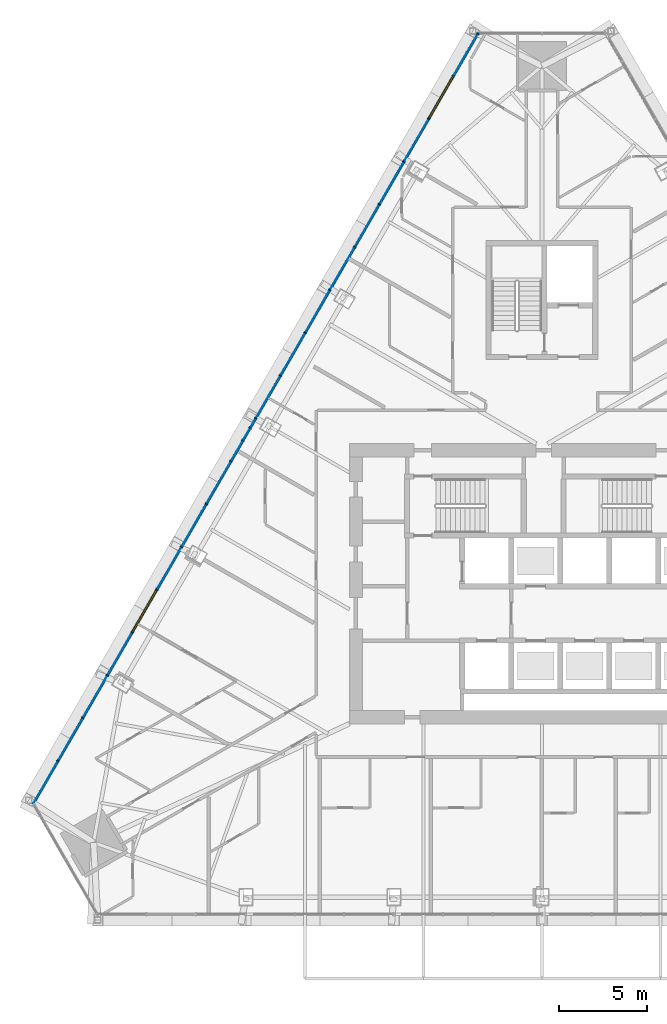
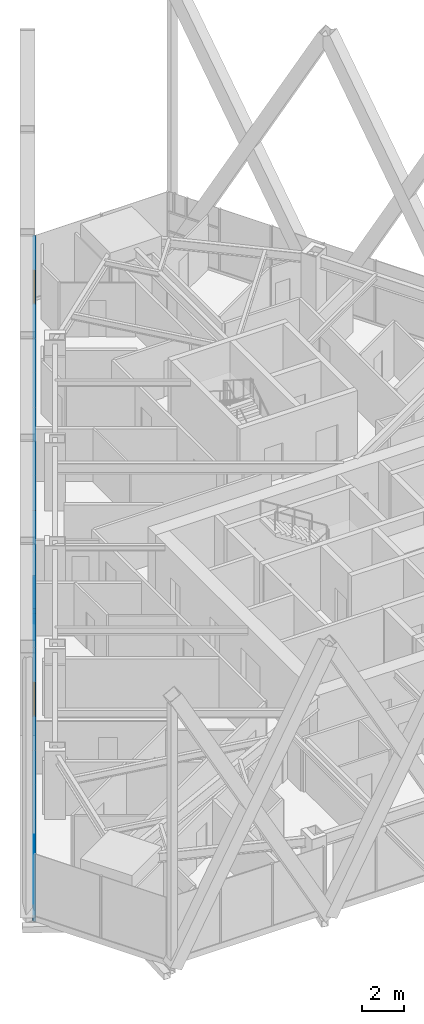
# One storey, part 5 of 19: 22 members, 19 plates, 2 windows, 2 openings, 1 element without a shape of its own.
"""IFC4 building model written with IfcOpenShell, lengths in metres."""

from ifc_helpers import new_model, si_unit, direction, frame, frame_2d, origin, origin_2d, place, context, subcontext, project, spatial, polyline, rectangle, outline, extrude, material, layer, layer_set, material_profile, profile_set, type_object, element, fill, aggregate, save


model = new_model("IFC4")

# Units and contexts
model_context = context("Model", 3, precision=1e-05, world=origin(), true_north=direction((0.0, 1.0)))
body_context = subcontext(model_context, "Body", "Model", "MODEL_VIEW")
ifc_project = project(units=[si_unit("LENGTHUNIT", "METRE"), si_unit("AREAUNIT", "SQUARE_METRE"), si_unit("VOLUMEUNIT", "CUBIC_METRE"), si_unit("PLANEANGLEUNIT", "RADIAN"), si_unit("MASSUNIT", "GRAM", prefix="KILO")], contexts=[model_context])

# Site, building, storey
site_placement = place(None, origin())
site = spatial("IfcSite", under=ifc_project, at=site_placement, CompositionType="ELEMENT")
building_placement = place(site_placement, origin())
building = spatial("IfcBuilding", under=site, at=building_placement, Name="Firuza Gate Tower and Library", CompositionType="ELEMENT")
storey_placement = place(building_placement, frame((0.0, 0.0, 218.199951171875)))
storey = spatial("IfcBuildingStorey", under=building, at=storey_placement, Name="L51", CompositionType="ELEMENT", Elevation=218.199951171875)

# Curtain wall, openings, members, plates, windows
ifc_material_1 = material(Name="Aluminium 6063-T6", Category="aluminium")
ifc_layer_1 = layer(ifc_material_1, 0.14990234375)
ifc_layer_set_1 = layer_set([ifc_layer_1], Name="Unitised curtain wall, hotel")
curtain_wall_type = type_object("IfcCurtainWallType", Name="Unitised curtain wall, hotel", PredefinedType="NOTDEFINED", material=ifc_layer_set_1)
curtain_wall_placement = place(storey_placement, origin())
curtain_wall = element("IfcCurtainWall", 1, at=curtain_wall_placement, inside=storey, type_object=curtain_wall_type, Name="CW2 L51 W face", PredefinedType="NOTDEFINED")
opening_1_placement = place(curtain_wall_placement, frame((69.925048828125, 103.965087890625, 0.150146484375), z_axis=(0.0, 0.0, 1.0), x_axis=(-0.5, -0.866025, 0.0)))
opening_1 = element("IfcOpeningElement", 2, at=opening_1_placement, cuts=curtain_wall, Name="Opening WD1-004", PredefinedType="OPENING", context=body_context, shape_type="SweptSolid", body=[
    extrude(rectangle(XDim=2.743408203125, YDim=3.550048828125, at=frame_2d((1.37158203125, 1.77490234375))), frame((0.0, 0.0849609375, 0.0), z_axis=(0.0, -1.0, 0.0), x_axis=(1.0, 0.0, 0.0)), (0.0, 0.0, 1.0), 0.169921875),
])
opening_2_placement = place(curtain_wall_placement, frame((52.98486328125, 74.623779296875, 0.150146484375), z_axis=(0.0, 0.0, 1.0), x_axis=(-0.5, -0.866025, 0.0)))
opening_2 = element("IfcOpeningElement", 3, at=opening_2_placement, cuts=curtain_wall, Name="Opening WD1-005", PredefinedType="OPENING", context=body_context, shape_type="SweptSolid", body=[
    extrude(rectangle(XDim=2.743408203125, YDim=3.550048828125, at=frame_2d((1.37158203125, 1.77490234375))), frame((0.0, 0.0849609375, 0.0), z_axis=(0.0, -1.0, 0.0), x_axis=(1.0, 0.0, 0.0)), (0.0, 0.0, 1.0), 0.169921875),
])
ifc_material_2 = material(Name="Aluminium 6063-T6", Category="aluminium")
ifc_material_profile_1 = material_profile(ifc_material_2, rectangle(XDim=0.14990234375, YDim=0.080078125, at=origin_2d()))
ifc_profile_set_1 = profile_set([ifc_material_profile_1], Name="Aluminium 6063-T6")
member_type_1 = type_object("IfcMemberType", Name="Curtain wall mullion 80x150", PredefinedType="MULLION", material=ifc_profile_set_1)
member_1_placement = place(storey_placement, frame((71.336669921875, 106.41015625, 0.150146484375), z_axis=(0.0, 0.0, 1.0), x_axis=(0.866025403784, -0.5, 0.0)))
member_1 = element("IfcMember", 4, at=member_1_placement, type_object=member_type_1, Name="Mullion", PredefinedType="MULLION", context=body_context, shape_type="SweptSolid", body=[
    extrude(rectangle(XDim=0.14990234375, YDim=0.080078125, at=origin_2d()), origin(), (0.0, 0.0, 1.0), 3.5498046875),
])
member_2_placement = place(storey_placement, frame((69.945068359375, 103.999755859375, 0.150146484375), z_axis=(0.0, 0.0, 1.0), x_axis=(0.866025403784, -0.5, 0.0)))
member_2 = element("IfcMember", 5, at=member_2_placement, type_object=member_type_1, Name="Mullion", PredefinedType="MULLION", context=body_context, shape_type="SweptSolid", body=[
    extrude(rectangle(XDim=0.14990234375, YDim=0.080078125, at=origin_2d()), origin(), (0.0, 0.0, 1.0), 3.5498046875),
])
member_3_placement = place(storey_placement, frame((68.533447265625, 101.554443359375, 0.150146484375), z_axis=(0.0, 0.0, 1.0), x_axis=(0.866025403784, -0.5, 0.0)))
member_3 = element("IfcMember", 6, at=member_3_placement, type_object=member_type_1, Name="Mullion", PredefinedType="MULLION", context=body_context, shape_type="SweptSolid", body=[
    extrude(rectangle(XDim=0.14990234375, YDim=0.080078125, at=origin_2d()), origin(), (0.0, 0.0, 1.0), 3.5498046875),
])
member_4_placement = place(storey_placement, frame((67.12158203125, 99.109375, 0.150146484375), z_axis=(0.0, 0.0, 1.0), x_axis=(0.866025403784, -0.5, 0.0)))
member_4 = element("IfcMember", 7, at=member_4_placement, type_object=member_type_1, Name="Mullion", PredefinedType="MULLION", context=body_context, shape_type="SweptSolid", body=[
    extrude(rectangle(XDim=0.14990234375, YDim=0.080078125, at=origin_2d()), origin(), (0.0, 0.0, 1.0), 3.5498046875),
])
member_5_placement = place(storey_placement, frame((65.7099609375, 96.664306640625, 0.150146484375), z_axis=(0.0, 0.0, 1.0), x_axis=(0.866025403784, -0.5, 0.0)))
member_5 = element("IfcMember", 8, at=member_5_placement, type_object=member_type_1, Name="Mullion", PredefinedType="MULLION", context=body_context, shape_type="SweptSolid", body=[
    extrude(rectangle(XDim=0.14990234375, YDim=0.080078125, at=origin_2d()), origin(), (0.0, 0.0, 1.0), 3.5498046875),
])
member_6_placement = place(storey_placement, frame((64.29833984375, 94.21923828125, 0.150146484375), z_axis=(0.0, 0.0, 1.0), x_axis=(0.866025403784, -0.5, 0.0)))
member_6 = element("IfcMember", 9, at=member_6_placement, type_object=member_type_1, Name="Mullion", PredefinedType="MULLION", context=body_context, shape_type="SweptSolid", body=[
    extrude(rectangle(XDim=0.14990234375, YDim=0.080078125, at=origin_2d()), origin(), (0.0, 0.0, 1.0), 3.5498046875),
])
member_7_placement = place(storey_placement, frame((62.88671875, 91.774169921875, 0.150146484375), z_axis=(0.0, 0.0, 1.0), x_axis=(0.866025403784, -0.5, 0.0)))
member_7 = element("IfcMember", 10, at=member_7_placement, type_object=member_type_1, Name="Mullion", PredefinedType="MULLION", context=body_context, shape_type="SweptSolid", body=[
    extrude(rectangle(XDim=0.14990234375, YDim=0.080078125, at=origin_2d()), origin(), (0.0, 0.0, 1.0), 3.5498046875),
])
member_8_placement = place(storey_placement, frame((61.474853515625, 89.3291015625, 0.150146484375), z_axis=(0.0, 0.0, 1.0), x_axis=(0.866025403784, -0.5, 0.0)))
member_8 = element("IfcMember", 11, at=member_8_placement, type_object=member_type_1, Name="Mullion", PredefinedType="MULLION", context=body_context, shape_type="SweptSolid", body=[
    extrude(rectangle(XDim=0.14990234375, YDim=0.080078125, at=origin_2d()), origin(), (0.0, 0.0, 1.0), 3.5498046875),
])
member_9_placement = place(storey_placement, frame((60.063232421875, 86.8837890625, 0.150146484375), z_axis=(0.0, 0.0, 1.0), x_axis=(0.866025403784, -0.5, 0.0)))
member_9 = element("IfcMember", 12, at=member_9_placement, type_object=member_type_1, Name="Mullion", PredefinedType="MULLION", context=body_context, shape_type="SweptSolid", body=[
    extrude(rectangle(XDim=0.14990234375, YDim=0.080078125, at=origin_2d()), origin(), (0.0, 0.0, 1.0), 3.5498046875),
])
member_10_placement = place(storey_placement, frame((58.651611328125, 84.438720703125, 0.150146484375), z_axis=(0.0, 0.0, 1.0), x_axis=(0.866025403784, -0.5, 0.0)))
member_10 = element("IfcMember", 13, at=member_10_placement, type_object=member_type_1, Name="Mullion", PredefinedType="MULLION", context=body_context, shape_type="SweptSolid", body=[
    extrude(rectangle(XDim=0.14990234375, YDim=0.080078125, at=origin_2d()), origin(), (0.0, 0.0, 1.0), 3.5498046875),
])
member_11_placement = place(storey_placement, frame((57.23974609375, 81.99365234375, 0.150146484375), z_axis=(0.0, 0.0, 1.0), x_axis=(0.866025403784, -0.5, 0.0)))
member_11 = element("IfcMember", 14, at=member_11_placement, type_object=member_type_1, Name="Mullion", PredefinedType="MULLION", context=body_context, shape_type="SweptSolid", body=[
    extrude(rectangle(XDim=0.14990234375, YDim=0.080078125, at=origin_2d()), origin(), (0.0, 0.0, 1.0), 3.5498046875),
])
member_12_placement = place(storey_placement, frame((55.828125, 79.548583984375, 0.150146484375), z_axis=(0.0, 0.0, 1.0), x_axis=(0.866025403784, -0.5, 0.0)))
member_12 = element("IfcMember", 15, at=member_12_placement, type_object=member_type_1, Name="Mullion", PredefinedType="MULLION", context=body_context, shape_type="SweptSolid", body=[
    extrude(rectangle(XDim=0.14990234375, YDim=0.080078125, at=origin_2d()), origin(), (0.0, 0.0, 1.0), 3.5498046875),
])
member_13_placement = place(storey_placement, frame((54.41650390625, 77.103515625, 0.150146484375), z_axis=(0.0, 0.0, 1.0), x_axis=(0.866025403784, -0.5, 0.0)))
member_13 = element("IfcMember", 16, at=member_13_placement, type_object=member_type_1, Name="Mullion", PredefinedType="MULLION", context=body_context, shape_type="SweptSolid", body=[
    extrude(rectangle(XDim=0.14990234375, YDim=0.080078125, at=origin_2d()), origin(), (0.0, 0.0, 1.0), 3.5498046875),
])
member_14_placement = place(storey_placement, frame((53.0048828125, 74.658447265625, 0.150146484375), z_axis=(0.0, 0.0, 1.0), x_axis=(0.866025403784, -0.5, 0.0)))
member_14 = element("IfcMember", 17, at=member_14_placement, type_object=member_type_1, Name="Mullion", PredefinedType="MULLION", context=body_context, shape_type="SweptSolid", body=[
    extrude(rectangle(XDim=0.14990234375, YDim=0.080078125, at=origin_2d()), origin(), (0.0, 0.0, 1.0), 3.5498046875),
])
member_15_placement = place(storey_placement, frame((51.593017578125, 72.213134765625, 0.150146484375), z_axis=(0.0, 0.0, 1.0), x_axis=(0.866025403784, -0.5, 0.0)))
member_15 = element("IfcMember", 18, at=member_15_placement, type_object=member_type_1, Name="Mullion", PredefinedType="MULLION", context=body_context, shape_type="SweptSolid", body=[
    extrude(rectangle(XDim=0.14990234375, YDim=0.080078125, at=origin_2d()), origin(), (0.0, 0.0, 1.0), 3.5498046875),
])
member_16_placement = place(storey_placement, frame((50.181396484375, 69.76806640625, 0.150146484375), z_axis=(0.0, 0.0, 1.0), x_axis=(0.866025403784, -0.5, 0.0)))
member_16 = element("IfcMember", 19, at=member_16_placement, type_object=member_type_1, Name="Mullion", PredefinedType="MULLION", context=body_context, shape_type="SweptSolid", body=[
    extrude(rectangle(XDim=0.14990234375, YDim=0.080078125, at=origin_2d()), origin(), (0.0, 0.0, 1.0), 3.5498046875),
])
member_17_placement = place(storey_placement, frame((48.769775390625, 67.322998046875, 0.150146484375), z_axis=(0.0, 0.0, 1.0), x_axis=(0.866025403784, -0.5, 0.0)))
member_17 = element("IfcMember", 20, at=member_17_placement, type_object=member_type_1, Name="Mullion", PredefinedType="MULLION", context=body_context, shape_type="SweptSolid", body=[
    extrude(rectangle(XDim=0.14990234375, YDim=0.080078125, at=origin_2d()), origin(), (0.0, 0.0, 1.0), 3.5498046875),
])
member_18_placement = place(storey_placement, frame((47.358154296875, 64.8779296875, 0.150146484375), z_axis=(0.0, 0.0, 1.0), x_axis=(0.866025403784, -0.5, 0.0)))
member_18 = element("IfcMember", 21, at=member_18_placement, type_object=member_type_1, Name="Mullion", PredefinedType="MULLION", context=body_context, shape_type="SweptSolid", body=[
    extrude(rectangle(XDim=0.14990234375, YDim=0.080078125, at=origin_2d()), origin(), (0.0, 0.0, 1.0), 3.5498046875),
])
member_19_placement = place(storey_placement, frame((57.919189453125, 83.170166015625, 0.150146484375), z_axis=(0.0, 0.0, 1.0), x_axis=(0.866025403784, -0.5, 0.0)))
member_19 = element("IfcMember", 22, at=member_19_placement, type_object=member_type_1, Name="Mullion", PredefinedType="MULLION", context=body_context, shape_type="SweptSolid", body=[
    extrude(rectangle(XDim=0.14990234375, YDim=0.080078125, at=origin_2d()), origin(), (0.0, 0.0, 1.0), 1.73486328125),
])
member_20_placement = place(storey_placement, frame((58.340576171875, 83.900146484375, 1.965087890625), z_axis=(0.0, 0.0, 1.0), x_axis=(0.866025403784, -0.5, 0.0)))
member_20 = element("IfcMember", 23, at=member_20_placement, type_object=member_type_1, Name="Mullion", PredefinedType="MULLION", context=body_context, shape_type="SweptSolid", body=[
    extrude(rectangle(XDim=0.14990234375, YDim=0.080078125, at=origin_2d()), origin(), (0.0, 0.0, 1.0), 1.73486328125),
])
ifc_material_3 = material(Name="Aluminium 6063-T6", Category="aluminium")
ifc_material_profile_2 = material_profile(ifc_material_3, rectangle(XDim=0.14990234375, YDim=0.35009765625, at=origin_2d()))
ifc_profile_set_2 = profile_set([ifc_material_profile_2], Name="Aluminium 6063-T6")
member_type_2 = type_object("IfcMemberType", Name="Curtain wall transom 350x150", PredefinedType="USERDEFINED", material=ifc_profile_set_2)
member_21_placement = place(storey_placement, frame((71.356689453125, 106.44482421875, -0.02490234375), z_axis=(-0.500001206715, -0.866024707086, 0.0), x_axis=(0.866024707086, -0.500001206715, 0.0)))
member_21 = element("IfcMember", 24, at=member_21_placement, type_object=member_type_2, Name="Transom", ObjectType="TRANSOM", PredefinedType="USERDEFINED", context=body_context, shape_type="SweptSolid", body=[
    extrude(rectangle(XDim=0.14990234375, YDim=0.35009765625, at=origin_2d()), origin(), (0.0, 0.0, 1.0), 50.820556640625),
])
ifc_material_4 = material(Name="Aluminium 6063-T6", Category="aluminium")
ifc_material_profile_3 = material_profile(ifc_material_4, rectangle(XDim=0.14990234375, YDim=0.080078125, at=origin_2d()))
ifc_profile_set_3 = profile_set([ifc_material_profile_3], Name="Aluminium 6063-T6")
member_type_3 = type_object("IfcMemberType", Name="Curtain wall transom 80x150", PredefinedType="USERDEFINED", material=ifc_profile_set_3)
member_22_placement = place(storey_placement, frame((58.631591796875, 84.404052734375, 1.925048828125), z_axis=(-0.500053697445, -0.86599439933, 0.0), x_axis=(0.86599439933, -0.500053697445, 0.0)))
member_22 = element("IfcMember", 25, at=member_22_placement, type_object=member_type_3, Name="Transom", ObjectType="TRANSOM", PredefinedType="USERDEFINED", context=body_context, shape_type="SweptSolid", body=[
    extrude(rectangle(XDim=0.14990234375, YDim=0.080078125, at=origin_2d()), origin(), (0.0, 0.0, 1.0), 2.743408203125),
])
ifc_material_5 = material(Name="Fritted glass", Category="glass")
ifc_layer_2 = layer(ifc_material_5, 0.030029296875)
ifc_layer_set_2 = layer_set([ifc_layer_2], Name="Fritted glass unit, hotel")
plate_type_1 = type_object("IfcPlateType", Name="Fritted glass unit, hotel", PredefinedType="CURTAIN_PANEL", material=ifc_layer_set_2)
plate_1_placement = place(storey_placement, frame((65.677001953125, 96.63720703125, 0.150146484375), z_axis=(-0.866016649877, 0.500015161905, 0.0), x_axis=(-0.500015161905, -0.866016649877, 0.0)))
plate_1 = element("IfcPlate", 26, at=plate_1_placement, type_object=plate_type_1, Name="Glass unit", PredefinedType="CURTAIN_PANEL", context=body_context, shape_type="SweptSolid", body=[
    extrude(outline(polyline([(0.0, 0.0), (2.7435691482793962, 0.0), (2.7435691482793962, 3.5498046875), (0.0, 3.5498046875), (0.0, 0.0)])), origin(), (0.0, 0.0, -1.0), 0.030029296875),
])
plate_2_placement = place(storey_placement, frame((61.44189453125, 89.3017578125, 0.150146484375), z_axis=(-0.866032936488, 0.499986952748, 0.0), x_axis=(-0.499986952748, -0.866032936488, 0.0)))
plate_2 = element("IfcPlate", 27, at=plate_2_placement, type_object=plate_type_1, Name="Glass unit", PredefinedType="CURTAIN_PANEL", context=body_context, shape_type="SweptSolid", body=[
    extrude(outline(polyline([(0.0, 0.0), (2.7432356458743987, 0.0), (2.7432356458743987, 3.5498046875), (0.0, 3.5498046875), (0.0, 0.0)])), origin(), (0.0, 0.0, -1.0), 0.030029296875),
])
plate_3_placement = place(storey_placement, frame((57.88623046875, 83.14306640625, 0.150146484375), z_axis=(-0.865966151823, 0.500102613368, 0.0), x_axis=(-0.500102613368, -0.865966151823, 0.0)))
plate_3 = element("IfcPlate", 28, at=plate_3_placement, type_object=plate_type_1, Name="Glass unit", PredefinedType="CURTAIN_PANEL", context=body_context, shape_type="SweptSolid", body=[
    extrude(outline(polyline([(0.0, 0.0), (1.2785462018863345, 0.0), (1.2785462018863345, 1.73486328125), (0.0, 1.73486328125), (0.0, 0.0)])), origin(), (0.0, 0.0, -1.0), 0.030029296875),
])
plate_4_placement = place(storey_placement, frame((58.61865234375, 84.41162109375, 1.965087890625), z_axis=(-0.865960472381, 0.500112447629, 0.0), x_axis=(-0.500112447629, -0.865960472381, 0.0)))
plate_4 = element("IfcPlate", 29, at=plate_4_placement, type_object=plate_type_1, Name="Glass unit", PredefinedType="CURTAIN_PANEL", context=body_context, shape_type="SweptSolid", body=[
    extrude(outline(polyline([(0.0, 0.0), (0.5418703234337647, 0.0), (0.5418703234337647, 1.73486328125), (0.0, 1.73486328125), (0.0, 0.0)])), origin(), (0.0, 0.0, -1.0), 0.030029296875),
])
plate_5_placement = place(storey_placement, frame((57.206787109375, 81.966552734375, 0.150146484375), z_axis=(-0.866032936488, 0.499986952748, 0.0), x_axis=(-0.499986952748, -0.866032936488, 0.0)))
plate_5 = element("IfcPlate", 30, at=plate_5_placement, type_object=plate_type_1, Name="Glass unit", PredefinedType="CURTAIN_PANEL", context=body_context, shape_type="SweptSolid", body=[
    extrude(outline(polyline([(0.0, 0.0), (2.7432356458743987, 0.0), (2.7432356458743987, 3.5498046875), (0.0, 3.5498046875), (0.0, 0.0)])), origin(), (0.0, 0.0, -1.0), 0.030029296875),
])
plate_6_placement = place(storey_placement, frame((48.73681640625, 67.2958984375, 0.150146484375), z_axis=(-0.86599439933, 0.500053697445, 0.0), x_axis=(-0.500053697445, -0.86599439933, 0.0)))
plate_6 = element("IfcPlate", 31, at=plate_6_placement, type_object=plate_type_1, Name="Glass unit", PredefinedType="CURTAIN_PANEL", context=body_context, shape_type="SweptSolid", body=[
    extrude(outline(polyline([(0.0, 0.0), (2.7433577211492617, 0.0), (2.7433577211492617, 3.5498046875), (0.0, 3.5498046875), (0.0, 0.0)])), origin(), (0.0, 0.0, -1.0), 0.030029296875),
])
ifc_material_6 = material(Name="Glazed ceramic tile")
ifc_layer_3 = layer(ifc_material_6, 0.030029296875)
ifc_layer_set_3 = layer_set([ifc_layer_3], Name="Opaque ceramic panel, hotel")
plate_type_2 = type_object("IfcPlateType", Name="Opaque ceramic panel, hotel", PredefinedType="CURTAIN_PANEL", material=ifc_layer_set_3)
plate_7_placement = place(storey_placement, frame((71.32373046875, 106.41748046875, 0.150146484375), z_axis=(-0.86599439933, 0.500053697445, 0.0), x_axis=(-0.500053697445, -0.86599439933, 0.0)))
plate_7 = element("IfcPlate", 32, at=plate_7_placement, type_object=plate_type_2, Name="Opaque ceramic panel", PredefinedType="CURTAIN_PANEL", context=body_context, shape_type="SweptSolid", body=[
    extrude(outline(polyline([(0.0, 0.0), (2.7433577211492617, 0.0), (2.7433577211492617, 3.5498046875), (0.0, 3.5498046875), (0.0, 0.0)])), origin(), (0.0, 0.0, -1.0), 0.030029296875),
])
plate_8_placement = place(storey_placement, frame((68.500244140625, 101.52734375, 0.150146484375), z_axis=(-0.866032936488, 0.499986952748, 0.0), x_axis=(-0.499986952748, -0.866032936488, 0.0)))
plate_8 = element("IfcPlate", 33, at=plate_8_placement, type_object=plate_type_2, Name="Opaque ceramic panel", PredefinedType="CURTAIN_PANEL", context=body_context, shape_type="SweptSolid", body=[
    extrude(outline(polyline([(0.0, 0.0), (2.7432356458743987, 0.0), (2.7432356458743987, 3.5498046875), (0.0, 3.5498046875), (0.0, 0.0)])), origin(), (0.0, 0.0, -1.0), 0.030029296875),
])
plate_9_placement = place(storey_placement, frame((67.088623046875, 99.082275390625, 0.150146484375), z_axis=(-0.866032936488, 0.499986952748, 0.0), x_axis=(-0.499986952748, -0.866032936488, 0.0)))
plate_9 = element("IfcPlate", 34, at=plate_9_placement, type_object=plate_type_2, Name="Opaque ceramic panel", PredefinedType="CURTAIN_PANEL", context=body_context, shape_type="SweptSolid", body=[
    extrude(outline(polyline([(0.0, 0.0), (2.7432356458743987, 0.0), (2.7432356458743987, 3.5498046875), (0.0, 3.5498046875), (0.0, 0.0)])), origin(), (0.0, 0.0, -1.0), 0.030029296875),
])
plate_10_placement = place(storey_placement, frame((64.265380859375, 94.192138671875, 0.150146484375), z_axis=(-0.866016649877, 0.500015161905, 0.0), x_axis=(-0.500015161905, -0.866016649877, 0.0)))
plate_10 = element("IfcPlate", 35, at=plate_10_placement, type_object=plate_type_2, Name="Opaque ceramic panel", PredefinedType="CURTAIN_PANEL", context=body_context, shape_type="SweptSolid", body=[
    extrude(outline(polyline([(0.0, 0.0), (2.7435691482793962, 0.0), (2.7435691482793962, 3.5498046875), (0.0, 3.5498046875), (0.0, 0.0)])), origin(), (0.0, 0.0, -1.0), 0.030029296875),
])
plate_11_placement = place(storey_placement, frame((62.853515625, 91.7470703125, 0.150146484375), z_axis=(-0.866055182085, 0.499948418923, 0.0), x_axis=(-0.499948418923, -0.866055182085, 0.0)))
plate_11 = element("IfcPlate", 36, at=plate_11_placement, type_object=plate_type_2, Name="Opaque ceramic panel", PredefinedType="CURTAIN_PANEL", context=body_context, shape_type="SweptSolid", body=[
    extrude(outline(polyline([(0.0, 0.0), (2.7434470824124153, 0.0), (2.7434470824124153, 3.5498046875), (0.0, 3.5498046875), (0.0, 0.0)])), origin(), (0.0, 0.0, -1.0), 0.030029296875),
])
plate_12_placement = place(storey_placement, frame((60.0302734375, 86.856689453125, 0.150146484375), z_axis=(-0.86599439933, 0.500053697445, 0.0), x_axis=(-0.500053697445, -0.86599439933, 0.0)))
plate_12 = element("IfcPlate", 37, at=plate_12_placement, type_object=plate_type_2, Name="Opaque ceramic panel", PredefinedType="CURTAIN_PANEL", context=body_context, shape_type="SweptSolid", body=[
    extrude(outline(polyline([(0.0, 0.0), (2.7433577211492617, 0.0), (2.7433577211492617, 3.5498046875), (0.0, 3.5498046875), (0.0, 0.0)])), origin(), (0.0, 0.0, -1.0), 0.030029296875),
])
plate_13_placement = place(storey_placement, frame((58.61865234375, 84.41162109375, 0.150146484375), z_axis=(-0.865944821017, 0.500139547481, 0.0), x_axis=(-0.500139547481, -0.865944821017, 0.0)))
plate_13 = element("IfcPlate", 38, at=plate_13_placement, type_object=plate_type_2, Name="Opaque ceramic panel", PredefinedType="CURTAIN_PANEL", context=body_context, shape_type="SweptSolid", body=[
    extrude(outline(polyline([(0.0, 0.0), (1.3848673967376022, 0.0), (1.3848673967376022, 1.7348632812499996), (0.0, 1.7348632812499996), (0.0, 0.0)])), origin(), (0.0, 0.0, -1.0), 0.030029296875),
])
plate_14_placement = place(storey_placement, frame((58.3076171875, 83.873046875, 1.965087890625), z_axis=(-0.866003515251, 0.500037910135, 0.0), x_axis=(-0.500037910135, -0.866003515251, 0.0)))
plate_14 = element("IfcPlate", 39, at=plate_14_placement, type_object=plate_type_2, Name="Opaque ceramic panel", PredefinedType="CURTAIN_PANEL", context=body_context, shape_type="SweptSolid", body=[
    extrude(outline(polyline([(0.0, 0.0), (2.121421184522347, 0.0), (2.121421184522347, 1.73486328125), (0.0, 1.73486328125), (0.0, 0.0)])), origin(), (0.0, 0.0, -1.0), 0.030029296875),
])
plate_15_placement = place(storey_placement, frame((55.795166015625, 79.521484375, 0.150146484375), z_axis=(-0.866055182085, 0.499948418923, 0.0), x_axis=(-0.499948418923, -0.866055182085, 0.0)))
plate_15 = element("IfcPlate", 40, at=plate_15_placement, type_object=plate_type_2, Name="Opaque ceramic panel", PredefinedType="CURTAIN_PANEL", context=body_context, shape_type="SweptSolid", body=[
    extrude(outline(polyline([(0.0, 0.0), (2.7434470824124153, 0.0), (2.7434470824124153, 3.5498046875), (0.0, 3.5498046875), (0.0, 0.0)])), origin(), (0.0, 0.0, -1.0), 0.030029296875),
])
plate_16_placement = place(storey_placement, frame((54.383544921875, 77.076416015625, 0.150146484375), z_axis=(-0.866016649877, 0.500015161905, 0.0), x_axis=(-0.500015161905, -0.866016649877, 0.0)))
plate_16 = element("IfcPlate", 41, at=plate_16_placement, type_object=plate_type_2, Name="Opaque ceramic panel", PredefinedType="CURTAIN_PANEL", context=body_context, shape_type="SweptSolid", body=[
    extrude(outline(polyline([(0.0, 0.0), (2.7435691482793962, 0.0), (2.7435691482793962, 3.5498046875), (0.0, 3.5498046875), (0.0, 0.0)])), origin(), (0.0, 0.0, -1.0), 0.030029296875),
])
plate_17_placement = place(storey_placement, frame((51.56005859375, 72.18603515625, 0.150146484375), z_axis=(-0.866032936488, 0.499986952748, 0.0), x_axis=(-0.499986952748, -0.866032936488, 0.0)))
plate_17 = element("IfcPlate", 42, at=plate_17_placement, type_object=plate_type_2, Name="Opaque ceramic panel", PredefinedType="CURTAIN_PANEL", context=body_context, shape_type="SweptSolid", body=[
    extrude(outline(polyline([(0.0, 0.0), (2.7432356458743987, 0.0), (2.7432356458743987, 3.5498046875), (0.0, 3.5498046875), (0.0, 0.0)])), origin(), (0.0, 0.0, -1.0), 0.030029296875),
])
plate_18_placement = place(storey_placement, frame((50.1484375, 69.740966796875, 0.150146484375), z_axis=(-0.866032936488, 0.499986952748, 0.0), x_axis=(-0.499986952748, -0.866032936488, 0.0)))
plate_18 = element("IfcPlate", 43, at=plate_18_placement, type_object=plate_type_2, Name="Opaque ceramic panel", PredefinedType="CURTAIN_PANEL", context=body_context, shape_type="SweptSolid", body=[
    extrude(outline(polyline([(0.0, 0.0), (2.7432356458743987, 0.0), (2.7432356458743987, 3.5498046875), (0.0, 3.5498046875), (0.0, 0.0)])), origin(), (0.0, 0.0, -1.0), 0.030029296875),
])
plate_19_placement = place(storey_placement, frame((47.3251953125, 64.850830078125, 0.150146484375), z_axis=(-0.866016649877, 0.500015161905, 0.0), x_axis=(-0.500015161905, -0.866016649877, 0.0)))
plate_19 = element("IfcPlate", 44, at=plate_19_placement, type_object=plate_type_2, Name="Opaque ceramic panel", PredefinedType="CURTAIN_PANEL", context=body_context, shape_type="SweptSolid", body=[
    extrude(outline(polyline([(0.0, 0.0), (2.7435691482793962, 0.0), (2.7435691482793962, 3.5498046875), (0.0, 3.5498046875), (0.0, 0.0)])), origin(), (0.0, 0.0, -1.0), 0.030029296875),
])
aggregate(curtain_wall, [member_1, member_2, member_3, member_4, member_5, member_6, member_7, member_8, member_9, member_10, member_11, member_12, member_13, member_14, member_15, member_16, member_17, member_18, member_21, plate_7, plate_8, plate_9, plate_1, plate_10, plate_11, plate_2, plate_12, plate_13, plate_3, plate_4, plate_14, member_19, member_20, member_22, plate_5, plate_15, plate_16, plate_17, plate_18, plate_6, plate_19])
ifc_material_7 = material(Name="Aluminium 6063-T6 and glass", Category="aluminium")
ifc_layer_4 = layer(ifc_material_7, 0.030029296875)
ifc_layer_set_4 = layer_set([ifc_layer_4], Name="Operable glazed unit")
window_type = type_object("IfcWindowType", Name="Operable glazed unit", PartitioningType="SINGLE_PANEL", PredefinedType="WINDOW", material=ifc_layer_set_4)
window_1_placement = place(opening_1_placement, origin())
window_1 = element("IfcWindow", 45, at=window_1_placement, inside=storey, type_object=window_type, Name="Operable glazed unit", OverallHeight=3.550048828125, OverallWidth=2.743408203125, PartitioningType="SINGLE_PANEL", PredefinedType="WINDOW", context=body_context, shape_type="SweptSolid", body=[
    extrude(rectangle(XDim=2.743408203125, YDim=3.550048828125, at=frame_2d((1.37158203125, 1.77490234375))), frame((0.0, 0.030029296875, 0.0), z_axis=(0.0, -1.0, 0.0), x_axis=(1.0, 0.0, 0.0)), (0.0, 0.0, 1.0), 0.06005859375),
])
fill(opening_1, window_1)
window_2_placement = place(opening_2_placement, origin())
window_2 = element("IfcWindow", 46, at=window_2_placement, inside=storey, type_object=window_type, Name="Operable glazed unit", OverallHeight=3.550048828125, OverallWidth=2.743408203125, PartitioningType="SINGLE_PANEL", PredefinedType="WINDOW", context=body_context, shape_type="SweptSolid", body=[
    extrude(rectangle(XDim=2.743408203125, YDim=3.550048828125, at=frame_2d((1.37158203125, 1.77490234375))), frame((0.0, 0.030029296875, 0.0), z_axis=(0.0, -1.0, 0.0), x_axis=(1.0, 0.0, 0.0)), (0.0, 0.0, 1.0), 0.06005859375),
])
fill(opening_2, window_2)

save(model, "model.ifc")
